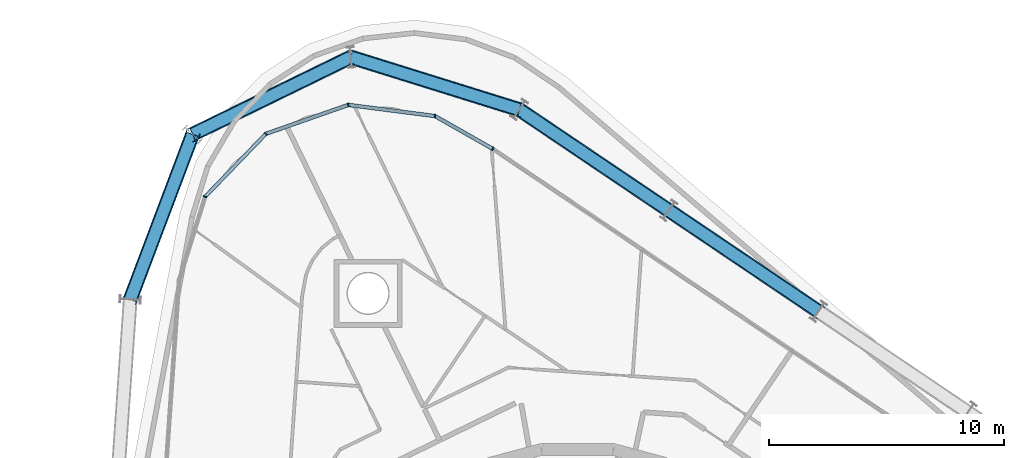
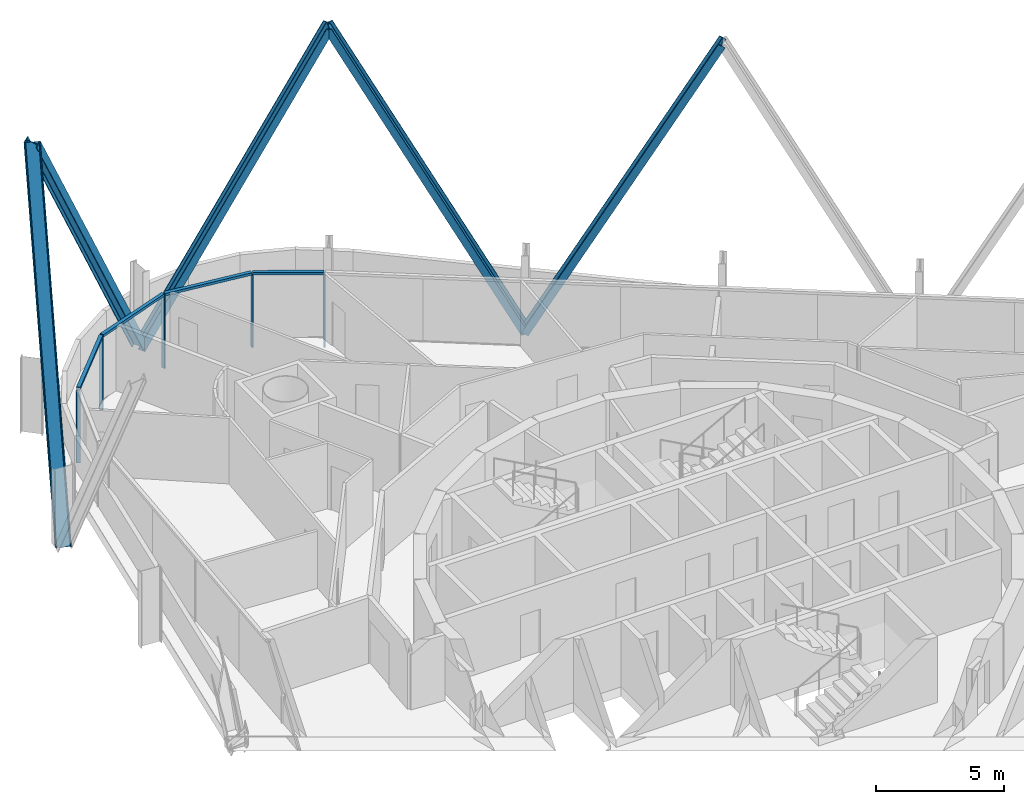
# One storey, part 8 of 18: 14 members, 1 element without a shape of its own.
"""IFC4 building model written with IfcOpenShell, lengths in metres."""

from ifc_helpers import new_model, si_unit, direction, frame, origin, origin_2d, place, context, subcontext, project, spatial, rectangle, i_section, extrude, material, layer, layer_set, material_profile, profile_set, type_object, element, aggregate, save


model = new_model("IFC4")

# Units and contexts
model_context = context("Model", 3, precision=1e-05, world=origin(), true_north=direction((0.0, 1.0)))
body_context = subcontext(model_context, "Body", "Model", "MODEL_VIEW")
ifc_project = project(units=[si_unit("LENGTHUNIT", "METRE"), si_unit("AREAUNIT", "SQUARE_METRE"), si_unit("VOLUMEUNIT", "CUBIC_METRE"), si_unit("PLANEANGLEUNIT", "RADIAN"), si_unit("MASSUNIT", "GRAM", prefix="KILO")], contexts=[model_context])

# Site, building, storey
site_placement = place(None, origin())
site = spatial("IfcSite", under=ifc_project, at=site_placement, CompositionType="ELEMENT")
building_placement = place(site_placement, origin())
building = spatial("IfcBuilding", under=site, at=building_placement, Name="Spindle Arch Residences", CompositionType="ELEMENT")
storey_placement = place(building_placement, frame((0.0, 0.0, 188.39990234375)))
storey = spatial("IfcBuildingStorey", under=building, at=storey_placement, Name="L47", CompositionType="ELEMENT", Elevation=188.39990234375)

# Curtain wall, members
ifc_material_1 = material(Name="Aluminium bronze unitised frame with tinted glass", Category="aluminium")
ifc_layer = layer(ifc_material_1, 0.159912109375)
ifc_layer_set = layer_set([ifc_layer], Name="CW-D corner wall on the fillet arcs")
curtain_wall_type = type_object("IfcCurtainWallType", Name="CW-D corner wall on the fillet arcs", PredefinedType="NOTDEFINED", material=ifc_layer_set)
curtain_wall_placement = place(storey_placement, origin())
curtain_wall = element("IfcCurtainWall", 1, at=curtain_wall_placement, inside=storey, type_object=curtain_wall_type, Name="CW-D L47 run 3", PredefinedType="NOTDEFINED")
ifc_material_2 = material(Name="Aluminium bronze anodised mullion", Category="aluminium")
ifc_material_profile_1 = material_profile(ifc_material_2, rectangle(XDim=0.159912109375, YDim=0.06005859375, at=origin_2d()), Name="MU 60x160")
ifc_profile_set_1 = profile_set([ifc_material_profile_1], Name="Aluminium bronze anodised mullion")
member_type_1 = type_object("IfcMemberType", Name="Bronze mullion 60x160", PredefinedType="MULLION", material=ifc_profile_set_1)
member_1_placement = place(storey_placement, frame((-3.608642578125, 24.46044921875, -0.449951171875), z_axis=(0.0, 0.0, 1.0), x_axis=(-0.493864780547, -0.86953871595, 0.0)))
member_1 = element("IfcMember", 2, at=member_1_placement, type_object=member_type_1, Name="CW-D mullion 00", PredefinedType="MULLION", context=body_context, shape_type="SweptSolid", body=[
    extrude(rectangle(XDim=0.159912109375, YDim=0.06005859375, at=origin_2d()), origin(), (0.0, 0.0, 1.0), 3.449951171875),
])
member_2_placement = place(storey_placement, frame((-6.07421875, 25.86083984375, -0.449951171875), z_axis=(0.0, 0.0, 1.0), x_axis=(-0.127641651888, -0.991820351023, 0.0)))
member_2 = element("IfcMember", 3, at=member_2_placement, type_object=member_type_1, Name="CW-D mullion 01", PredefinedType="MULLION", context=body_context, shape_type="SweptSolid", body=[
    extrude(rectangle(XDim=0.159912109375, YDim=0.06005859375, at=origin_2d()), origin(), (0.0, 0.0, 1.0), 3.449951171875),
])
member_3_placement = place(storey_placement, frame((-9.7705078125, 26.336669921875, -0.449951171875), z_axis=(0.0, 0.0, 1.0), x_axis=(0.331063412445, -0.943608508302, 0.0)))
member_3 = element("IfcMember", 4, at=member_3_placement, type_object=member_type_1, Name="CW-D mullion 02", PredefinedType="MULLION", context=body_context, shape_type="SweptSolid", body=[
    extrude(rectangle(XDim=0.159912109375, YDim=0.06005859375, at=origin_2d()), origin(), (0.0, 0.0, 1.0), 3.449951171875),
])
member_4_placement = place(storey_placement, frame((-13.287109375, 25.102783203125, -0.449951171875), z_axis=(0.0, 0.0, 1.0), x_axis=(0.719339801939, -0.694658368802, 0.0)))
member_4 = element("IfcMember", 5, at=member_4_placement, type_object=member_type_1, Name="CW-D mullion 03", PredefinedType="MULLION", context=body_context, shape_type="SweptSolid", body=[
    extrude(rectangle(XDim=0.159912109375, YDim=0.06005859375, at=origin_2d()), origin(), (0.0, 0.0, 1.0), 3.449951171875),
])
member_5_placement = place(storey_placement, frame((-15.8759765625, 22.421875, -0.449951171875), z_axis=(0.0, 0.0, 1.0), x_axis=(0.954587634064, -0.297930275218, 0.0)))
member_5 = element("IfcMember", 6, at=member_5_placement, type_object=member_type_1, Name="CW-D mullion 04", PredefinedType="MULLION", context=body_context, shape_type="SweptSolid", body=[
    extrude(rectangle(XDim=0.159912109375, YDim=0.06005859375, at=origin_2d()), origin(), (0.0, 0.0, 1.0), 3.449951171875),
])
ifc_material_3 = material(Name="Aluminium bronze anodised transom", Category="aluminium")
ifc_material_profile_2 = material_profile(ifc_material_3, rectangle(XDim=0.159912109375, YDim=0.1201171875, at=origin_2d()), Name="TR 120x160")
ifc_profile_set_2 = profile_set([ifc_material_profile_2], Name="Aluminium bronze anodised transom")
member_type_2 = type_object("IfcMemberType", Name="Bronze transom 120x160", PredefinedType="USERDEFINED", material=ifc_profile_set_2)
member_6_placement = place(storey_placement, frame((-3.634521484375, 24.475341796875, 3.06005859375), z_axis=(-0.869571592644, 0.493806890664, 0.0), x_axis=(-0.493806890664, -0.869571592644, 0.0)))
member_6 = element("IfcMember", 7, at=member_6_placement, type_object=member_type_2, Name="CW-D transom 00", ObjectType="TRANSOM", PredefinedType="USERDEFINED", context=body_context, shape_type="SweptSolid", body=[
    extrude(rectangle(XDim=0.159912109375, YDim=0.1201171875, at=origin_2d()), origin(), (0.0, 0.0, 1.0), 2.775634765625),
])
member_7_placement = place(storey_placement, frame((-6.10400390625, 25.86474609375, 3.06005859375), z_axis=(-0.991820609669, 0.127639642101, 0.0), x_axis=(-0.127639642101, -0.991820609669, 0.0)))
member_7 = element("IfcMember", 8, at=member_7_placement, type_object=member_type_2, Name="CW-D transom 01", ObjectType="TRANSOM", PredefinedType="USERDEFINED", context=body_context, shape_type="SweptSolid", body=[
    extrude(rectangle(XDim=0.159912109375, YDim=0.1201171875, at=origin_2d()), origin(), (0.0, 0.0, 1.0), 3.666748046875),
])
member_8_placement = place(storey_placement, frame((-9.798828125, 26.32666015625, 3.06005859375), z_axis=(-0.943613119154, -0.331050270141, 0.0), x_axis=(0.331050270141, -0.943613119154, 0.0)))
member_8 = element("IfcMember", 9, at=member_8_placement, type_object=member_type_2, Name="CW-D transom 02", ObjectType="TRANSOM", PredefinedType="USERDEFINED", context=body_context, shape_type="SweptSolid", body=[
    extrude(rectangle(XDim=0.159912109375, YDim=0.1201171875, at=origin_2d()), origin(), (0.0, 0.0, 1.0), 3.666748046875),
])
member_9_placement = place(storey_placement, frame((-13.307861328125, 25.081298828125, 3.06005859375), z_axis=(-0.694647982093, -0.719349832122, 0.0), x_axis=(0.719349832122, -0.694647982093, 0.0)))
member_9 = element("IfcMember", 10, at=member_9_placement, type_object=member_type_2, Name="CW-D transom 03", ObjectType="TRANSOM", PredefinedType="USERDEFINED", context=body_context, shape_type="SweptSolid", body=[
    extrude(rectangle(XDim=0.159912109375, YDim=0.1201171875, at=origin_2d()), origin(), (0.0, 0.0, 1.0), 3.666748046875),
])
aggregate(curtain_wall, [member_1, member_6, member_2, member_7, member_3, member_8, member_4, member_9, member_5])

# Members
ifc_material_4 = material(Name="Steel S460ML, intumescent coating R 240", Category="steel")
ifc_material_profile_3 = material_profile(ifc_material_4, i_section(OverallWidth=0.304931640625, OverallDepth=0.6201171875, WebThickness=0.02099609375, FlangeThickness=0.0400390625, FilletRadius=0.027099609375, at=origin_2d()), Name="HEM 600")
ifc_profile_set_3 = profile_set([ifc_material_profile_3], Name="Steel S460ML, intumescent coating R 240")
member_type_3 = type_object("IfcMemberType", Name="Diagrid diagonal HEM 600", PredefinedType="BRACE", material=ifc_profile_set_3)
for number, where, z_axis, x_axis, name in (
    (11, (3.8994140625, 21.832763671875, -0.699951171875), (0.397750707918, -0.268283050407, 0.877393058563), (-0.727394515643, 0.490627962745, 0.479772259291), "Diagrid diagonal 5.1.8"),
    (12, (3.8994140625, 21.832763671875, -0.699951171875), (-0.397750707918, 0.268283050407, 0.877393058563), (0.727394515643, -0.490627962745, 0.479772259291), "Diagrid diagonal 5.1.9"),
):
    element("IfcMember", number, at=place(storey_placement, frame(where, z_axis=z_axis, x_axis=x_axis)), inside=storey, type_object=member_type_3, Name=name, PredefinedType="BRACE", context=body_context, shape_type="SweptSolid", body=[
        extrude(i_section(OverallWidth=0.304931640625, OverallDepth=0.6201171875, WebThickness=0.02099609375, FlangeThickness=0.0400390625, FilletRadius=0.027099609375, at=origin_2d()), origin(), (0.0, 0.0, 1.0), 16.0361328125),
    ])
member_10_placement = place(storey_placement, frame((-9.66162109375, 28.3740234375, -0.699951171875), z_axis=(0.450172657076, -0.140330844257, 0.881845696804), x_axis=(-0.841889195844, 0.262439354694, 0.471538086509)))
element("IfcMember", 13, at=member_10_placement, inside=storey, type_object=member_type_3, Name="Diagrid diagonal 5.1.10", PredefinedType="BRACE", context=body_context, shape_type="SweptSolid", body=[
    extrude(i_section(OverallWidth=0.304931640625, OverallDepth=0.6201171875, WebThickness=0.02099609375, FlangeThickness=0.0400390625, FilletRadius=0.027099609375, at=origin_2d()), origin(), (0.0, 0.0, 1.0), 15.955322265625),
])
member_11_placement = place(storey_placement, frame((-9.66162109375, 28.3740234375, -0.699951171875), z_axis=(-0.423178480249, -0.206399777499, 0.882223954392), x_axis=(0.792936277879, 0.386744314666, 0.470830005732)))
element("IfcMember", 14, at=member_11_placement, inside=storey, type_object=member_type_3, Name="Diagrid diagonal 5.1.11", PredefinedType="BRACE", context=body_context, shape_type="SweptSolid", body=[
    extrude(i_section(OverallWidth=0.304931640625, OverallDepth=0.6201171875, WebThickness=0.02099609375, FlangeThickness=0.0400390625, FilletRadius=0.027099609375, at=origin_2d()), origin(), (0.0, 0.0, 1.0), 15.948486328125),
])
member_12_placement = place(storey_placement, frame((-19.068603515625, 18.043701171875, -0.699951171875), z_axis=(0.166587350995, 0.441142034462, 0.881840325637), x_axis=(-0.311534356971, -0.82497800234, 0.471548131246)))
element("IfcMember", 15, at=member_12_placement, inside=storey, type_object=member_type_3, Name="Diagrid diagonal 5.1.12", PredefinedType="BRACE", context=body_context, shape_type="SweptSolid", body=[
    extrude(i_section(OverallWidth=0.304931640625, OverallDepth=0.6201171875, WebThickness=0.02099609375, FlangeThickness=0.0400390625, FilletRadius=0.027099609375, at=origin_2d()), origin(), (0.0, 0.0, 1.0), 15.955322265625),
])

save(model, "model.ifc")
